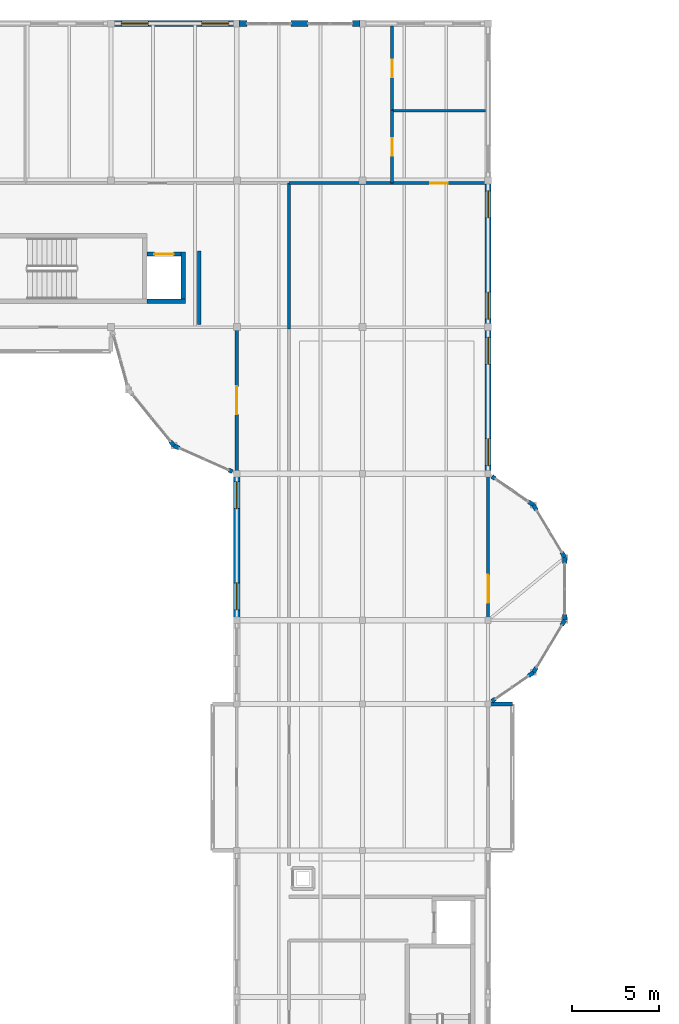
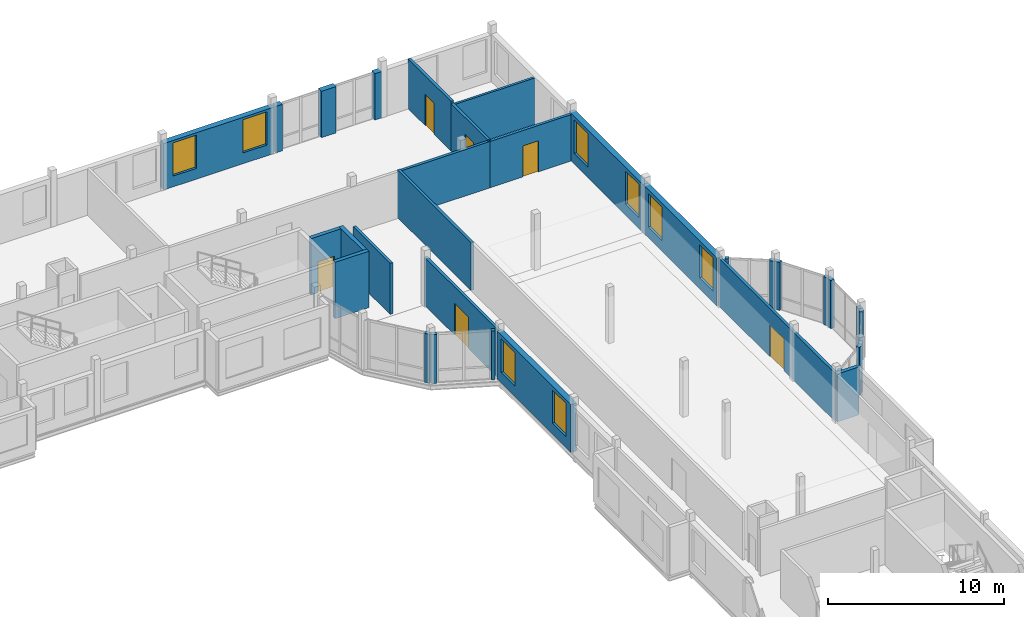
# One storey, part 29 of 34: 33 walls, 8 windows, 6 doors, 14 openings.
"""IFC4 building model written with IfcOpenShell, lengths in metres."""

from ifc_helpers import new_model, si_unit, direction, frame, frame_2d, origin, place, context, subcontext, project, spatial, rectangle, extrude, material, layer, layer_set, type_object, element, fill, save


model = new_model("IFC4")

# Units and contexts
model_context = context("Model", 3, precision=1e-05, world=origin(), true_north=direction((0.0, 1.0)))
body_context = subcontext(model_context, "Body", "Model", "MODEL_VIEW")
ifc_project = project(units=[si_unit("LENGTHUNIT", "METRE"), si_unit("AREAUNIT", "SQUARE_METRE"), si_unit("VOLUMEUNIT", "CUBIC_METRE"), si_unit("PLANEANGLEUNIT", "RADIAN"), si_unit("MASSUNIT", "GRAM", prefix="KILO")], contexts=[model_context])

# Site, building, storey
site_placement = place(None, origin())
site = spatial("IfcSite", under=ifc_project, at=site_placement, CompositionType="ELEMENT")
building_placement = place(site_placement, origin())
building = spatial("IfcBuilding", under=site, at=building_placement, Name="Kahlenmark Community Centre", CompositionType="ELEMENT")
storey_placement = place(building_placement, frame((0.0, 0.0, 17.699951171875)))
storey = spatial("IfcBuildingStorey", under=building, at=storey_placement, Name="L04", CompositionType="ELEMENT", Elevation=17.699951171875)

# Walls
ifc_material_1 = material(Name="Concrete C35/45", Category="concrete")
ifc_layer_1 = layer(ifc_material_1, 0.25)
ifc_layer_set_1 = layer_set([ifc_layer_1], Name="Concrete C35/45")
wall_type_1 = type_object("IfcWallType", Name="WT-CORE-250", PredefinedType="SHEAR", material=ifc_layer_set_1)
wall_1_placement = place(storey_placement, frame((67.25, 99.074951171875, 0.0), z_axis=(0.0, 0.0, 1.0), x_axis=(1.0, 0.0, 0.0)))
element("IfcWall", 1, at=wall_1_placement, inside=storey, type_object=wall_type_1, Name="Core K5 shear wall WL-CORE-K5-L04-0187", PredefinedType="SHEAR", context=body_context, shape_type="SweptSolid", body=[
    extrude(rectangle(XDim=2.2099609375, YDim=0.25, at=frame_2d((1.10498046875, 0.0))), origin(), (0.0, 0.0, 1.0), 3.900146484375),
])
wall_2_placement = place(storey_placement, frame((69.3349609375, 98.949951171875, 0.0), z_axis=(0.0, 0.0, 1.0), x_axis=(0.0, 1.0, 0.0)))
element("IfcWall", 2, at=wall_2_placement, inside=storey, type_object=wall_type_1, Name="Core K5 shear wall WL-CORE-K5-L04-0188", PredefinedType="SHEAR", context=body_context, shape_type="SweptSolid", body=[
    extrude(rectangle(XDim=2.9599609375, YDim=0.25, at=frame_2d((1.47998046875, 0.0))), origin(), (0.0, 0.0, 1.0), 3.900146484375),
])

# Wall, opening, door
wall_3_placement = place(storey_placement, frame((67.25, 101.784912109375, 0.0), z_axis=(0.0, 0.0, 1.0), x_axis=(1.0, 0.0, 0.0)))
wall_3 = element("IfcWall", 3, at=wall_3_placement, inside=storey, type_object=wall_type_1, Name="Core K5 shear wall WL-CORE-K5-L04-0189", PredefinedType="SHEAR", context=body_context, shape_type="SweptSolid", body=[
    extrude(rectangle(XDim=1.9599609375, YDim=0.25, at=frame_2d((0.97998046875, 0.0))), origin(), (0.0, 0.0, 1.0), 3.900146484375),
])
opening_1_placement = place(wall_3_placement, frame((0.429931640625, 0.0, -0.010009765625)))
opening_1 = element("IfcOpeningElement", 4, at=opening_1_placement, cuts=wall_3, Name="Opening LD-5", PredefinedType="OPENING", context=body_context, shape_type="SweptSolid", body=[
    extrude(rectangle(XDim=1.10009765625, YDim=2.159912109375, at=frame_2d((0.550048828125, 1.080078125))), frame((0.0, 0.135009765625, 0.0), z_axis=(0.0, -1.0, 0.0), x_axis=(1.0, 0.0, 0.0)), (0.0, 0.0, 1.0), 0.27001953125),
])
ifc_material_2 = material(Name="Brushed stainless steel sliding lift landing door", Category="steel")
door_type_1 = type_object("IfcDoorType", Name="DT-LD-K5", OperationType="SLIDING_TO_LEFT", PredefinedType="DOOR", material=ifc_material_2)
door_1_placement = place(opening_1_placement, frame((0.0, 0.0, 0.010009765625)))
door_1 = element("IfcDoor", 5, at=door_1_placement, inside=storey, type_object=door_type_1, Name="Lift LF-05 sliding landing door L04", OperationType="SLIDING_TO_LEFT", OverallHeight=2.14990234375, OverallWidth=1.10009765625, PredefinedType="DOOR", context=body_context, shape_type="SweptSolid", body=[
    extrude(rectangle(XDim=1.10009765625, YDim=2.14990234375, at=frame_2d((0.550048828125, 1.074951171875))), frame((0.0, 0.02490234375, 0.0), z_axis=(0.0, -1.0, 0.0), x_axis=(1.0, 0.0, 0.0)), (0.0, 0.0, 1.0), 0.050048828125),
])
fill(opening_1, door_1)

# Walls
ifc_material_3 = material(Name="Cross-laminated timber CLT C24", Category="wood")
ifc_layer_2 = layer(ifc_material_3, 0.239990234375)
ifc_layer_set_2 = layer_set([ifc_layer_2], Name="Cross-laminated timber CLT C24")
wall_type_2 = type_object("IfcWallType", Name="WT-EW-240", PredefinedType="SOLIDWALL", material=ifc_layer_set_2)
wall_4_placement = place(storey_placement, frame((87.0302734375, 76.159423828125, 0.0), z_axis=(0.0, 0.0, 1.0), x_axis=(0.822192191644, 0.56920997883, 0.0)))
element("IfcWall", 6, at=wall_4_placement, inside=storey, type_object=wall_type_2, Name="Rotunda pier closure 0746", PredefinedType="SOLIDWALL", context=body_context, shape_type="SweptSolid", body=[
    extrude(rectangle(XDim=0.219970703125, YDim=0.239990234375, at=frame_2d((0.10986328125, 0.0))), origin(), (0.0, 0.0, 1.0), 3.320068359375),
])
wall_5_placement = place(storey_placement, frame((89.12060546875, 77.6064453125, 0.0), z_axis=(0.0, 0.0, 1.0), x_axis=(0.821855834467, 0.569695521619, 0.0)))
element("IfcWall", 7, at=wall_5_placement, inside=storey, type_object=wall_type_2, Name="Rotunda pier closure 0747", PredefinedType="SOLIDWALL", context=body_context, shape_type="SweptSolid", body=[
    extrude(rectangle(XDim=0.33984375, YDim=0.239990234375, at=frame_2d((0.169921875, 0.0))), origin(), (0.0, 0.0, 1.0), 3.320068359375),
])
wall_6_placement = place(storey_placement, frame((89.39990234375, 77.800048828125, 0.0), z_axis=(0.0, 0.0, 1.0), x_axis=(0.514812489021, 0.857302805984, 0.0)))
element("IfcWall", 8, at=wall_6_placement, inside=storey, type_object=wall_type_2, Name="Rotunda pier closure 0748", PredefinedType="SOLIDWALL", context=body_context, shape_type="SweptSolid", body=[
    extrude(rectangle(XDim=0.340087890625, YDim=0.239990234375, at=frame_2d((0.169921875, 0.0))), origin(), (0.0, 0.0, 1.0), 3.320068359375),
])
for number, where, z_axis, x_axis, name in (
    (9, (91.025146484375, 80.508544921875, 0.0), (0.0, 0.0, 1.0), (0.514284482632, 0.857619653998, 0.0), "Rotunda pier closure 0749"),
    (10, (91.199951171875, 80.800048828125, 0.0), (0.0, 0.0, 1.0), (0.0, 1.0, 0.0), "Rotunda pier closure 0750"),
    (11, (91.199951171875, 84.06005859375, 0.0), (0.0, 0.0, 1.0), (0.0, 1.0, 0.0), "Rotunda pier closure 0751"),
    (12, (91.199951171875, 84.39990234375, 0.0), (0.0, 0.0, 1.0), (-0.514284482632, 0.857619653998, 0.0), "Rotunda pier closure 0752"),
):
    element("IfcWall", number, at=place(storey_placement, frame(where, z_axis=z_axis, x_axis=x_axis)), inside=storey, type_object=wall_type_2, Name=name, PredefinedType="SOLIDWALL", context=body_context, shape_type="SweptSolid", body=[
        extrude(rectangle(XDim=0.33984375, YDim=0.239990234375, at=frame_2d((0.169921875, 0.0))), origin(), (0.0, 0.0, 1.0), 3.320068359375),
    ])
wall_7_placement = place(storey_placement, frame((89.574951171875, 87.1083984375, 0.0), z_axis=(0.0, 0.0, 1.0), x_axis=(-0.514812489021, 0.857302805984, 0.0)))
element("IfcWall", 13, at=wall_7_placement, inside=storey, type_object=wall_type_2, Name="Rotunda pier closure 0753", PredefinedType="SOLIDWALL", context=body_context, shape_type="SweptSolid", body=[
    extrude(rectangle(XDim=0.340087890625, YDim=0.239990234375, at=frame_2d((0.169921875, 0.0))), origin(), (0.0, 0.0, 1.0), 3.320068359375),
])
wall_8_placement = place(storey_placement, frame((89.39990234375, 87.39990234375, 0.0), z_axis=(0.0, 0.0, 1.0), x_axis=(-0.821855834467, 0.569695521619, 0.0)))
element("IfcWall", 14, at=wall_8_placement, inside=storey, type_object=wall_type_2, Name="Rotunda pier closure 0754", PredefinedType="SOLIDWALL", context=body_context, shape_type="SweptSolid", body=[
    extrude(rectangle(XDim=0.33984375, YDim=0.239990234375, at=frame_2d((0.169921875, 0.0))), origin(), (0.0, 0.0, 1.0), 3.320068359375),
])
wall_9_placement = place(storey_placement, frame((87.211181640625, 88.915283203125, 0.0), z_axis=(0.0, 0.0, 1.0), x_axis=(-0.822192191644, 0.56920997883, 0.0)))
element("IfcWall", 15, at=wall_9_placement, inside=storey, type_object=wall_type_2, Name="Rotunda pier closure 0755", PredefinedType="SOLIDWALL", context=body_context, shape_type="SweptSolid", body=[
    extrude(rectangle(XDim=0.219970703125, YDim=0.239990234375, at=frame_2d((0.10986328125, 0.0))), origin(), (0.0, 0.0, 1.0), 3.320068359375),
])
wall_10_placement = place(storey_placement, frame((68.585693359375, 91.06396484375, 0.0), z_axis=(0.0, 0.0, 1.0), x_axis=(0.630457451131, -0.776223809422, 0.0)))
element("IfcWall", 16, at=wall_10_placement, inside=storey, type_object=wall_type_2, Name="Rotunda pier closure 0795", PredefinedType="SOLIDWALL", context=body_context, shape_type="SweptSolid", body=[
    extrude(rectangle(XDim=0.340087890625, YDim=0.239990234375, at=frame_2d((0.169921875, 0.0))), origin(), (0.0, 0.0, 1.0), 3.39013671875),
])
wall_11_placement = place(storey_placement, frame((68.800048828125, 90.800048828125, 0.0), z_axis=(0.0, 0.0, 1.0), x_axis=(0.913633745955, -0.406538286329, 0.0)))
element("IfcWall", 17, at=wall_11_placement, inside=storey, type_object=wall_type_2, Name="Rotunda pier closure 0796", PredefinedType="SOLIDWALL", context=body_context, shape_type="SweptSolid", body=[
    extrude(rectangle(XDim=0.33984375, YDim=0.239990234375, at=frame_2d((0.169921875, 0.0))), origin(), (0.0, 0.0, 1.0), 3.39013671875),
])
wall_12_placement = place(storey_placement, frame((71.943115234375, 89.403076171875, 0.0), z_axis=(0.0, 0.0, 1.0), x_axis=(0.913719959968, -0.406344477944, 0.0)))
element("IfcWall", 18, at=wall_12_placement, inside=storey, type_object=wall_type_2, Name="Rotunda pier closure 0797", PredefinedType="SOLIDWALL", context=body_context, shape_type="SweptSolid", body=[
    extrude(rectangle(XDim=0.219970703125, YDim=0.239990234375, at=frame_2d((0.10986328125, 0.0))), origin(), (0.0, 0.0, 1.0), 3.39013671875),
])
wall_13_placement = place(storey_placement, frame((88.199951171875, 76.0, 0.0), z_axis=(0.0, 0.0, 1.0), x_axis=(-1.0, 0.0, 0.0)))
element("IfcWall", 19, at=wall_13_placement, inside=storey, type_object=wall_type_2, Name="Bay oriel wall WL-ORI-L04-0819", PredefinedType="SOLIDWALL", context=body_context, shape_type="SweptSolid", body=[
    extrude(rectangle(XDim=1.39990234375, YDim=0.239990234375, at=frame_2d((0.699951171875, 0.0))), origin(), (0.0, 0.0, 1.0), 3.320068359375),
])

# Wall, openings, windows
ifc_material_4 = material(Name="Danube limestone masonry", Category="masonry")
ifc_layer_3 = layer(ifc_material_4, 0.360107421875)
ifc_layer_set_3 = layer_set([ifc_layer_3], Name="Danube limestone masonry")
wall_type_3 = type_object("IfcWallType", Name="WT-EW-360", PredefinedType="SOLIDWALL", material=ifc_layer_set_3)
wall_14_placement = place(storey_placement, frame((72.39990234375, 115.0, 0.0), z_axis=(0.0, 0.0, 1.0), x_axis=(-1.0, 0.0, 0.0)))
wall_14 = element("IfcWall", 20, at=wall_14_placement, inside=storey, type_object=wall_type_3, Name="Exterior wall WL-EXT-L04-0645", PredefinedType="SOLIDWALL", context=body_context, shape_type="SweptSolid", body=[
    extrude(rectangle(XDim=7.199951171875, YDim=0.360107421875, at=frame_2d((3.60009765625, 0.0))), origin(), (0.0, 0.0, 1.0), 3.2099609375),
])
opening_2_placement = place(wall_14_placement, frame((0.4599609375, 0.0, 0.75)))
opening_2 = element("IfcOpeningElement", 21, at=opening_2_placement, cuts=wall_14, Name="Opening W-155X230", PredefinedType="OPENING", context=body_context, shape_type="SweptSolid", body=[
    extrude(rectangle(XDim=1.550048828125, YDim=2.300048828125, at=frame_2d((0.77490234375, 1.14990234375))), frame((0.0, 0.18994140625, 0.0), z_axis=(0.0, -1.0, 0.0), x_axis=(1.0, 0.0, 0.0)), (0.0, 0.0, 1.0), 0.380126953125),
])
opening_3_placement = place(wall_14_placement, frame((5.06005859375, 0.0, 0.75)))
opening_3 = element("IfcOpeningElement", 22, at=opening_3_placement, cuts=wall_14, Name="Opening W-155X230", PredefinedType="OPENING", context=body_context, shape_type="SweptSolid", body=[
    extrude(rectangle(XDim=1.550048828125, YDim=2.300048828125, at=frame_2d((0.77490234375, 1.14990234375))), frame((0.0, 0.18994140625, 0.0), z_axis=(0.0, -1.0, 0.0), x_axis=(1.0, 0.0, 0.0)), (0.0, 0.0, 1.0), 0.380126953125),
])
ifc_material_5 = material(Name="Deep-reveal limestone punched triple glazing", Category="masonry")
window_type = type_object("IfcWindowType", Name="WNT-155X230", PartitioningType="DOUBLE_PANEL_HORIZONTAL", PredefinedType="WINDOW", material=ifc_material_5)
window_1_placement = place(opening_2_placement, origin())
window_1 = element("IfcWindow", 23, at=window_1_placement, inside=storey, type_object=window_type, Name="Window W-155X230 #0421", OverallHeight=2.300048828125, OverallWidth=1.550048828125, PartitioningType="DOUBLE_PANEL_HORIZONTAL", PredefinedType="WINDOW", context=body_context, shape_type="SweptSolid", body=[
    extrude(rectangle(XDim=1.550048828125, YDim=2.300048828125, at=frame_2d((0.77490234375, 1.14990234375))), frame((0.0, 0.030029296875, 0.0), z_axis=(0.0, -1.0, 0.0), x_axis=(1.0, 0.0, 0.0)), (0.0, 0.0, 1.0), 0.06005859375),
])
fill(opening_2, window_1)
window_2_placement = place(opening_3_placement, origin())
window_2 = element("IfcWindow", 24, at=window_2_placement, inside=storey, type_object=window_type, Name="Window W-155X230 #0422", OverallHeight=2.300048828125, OverallWidth=1.550048828125, PartitioningType="DOUBLE_PANEL_HORIZONTAL", PredefinedType="WINDOW", context=body_context, shape_type="SweptSolid", body=[
    extrude(rectangle(XDim=1.550048828125, YDim=2.300048828125, at=frame_2d((0.77490234375, 1.14990234375))), frame((0.0, 0.030029296875, 0.0), z_axis=(0.0, -1.0, 0.0), x_axis=(1.0, 0.0, 0.0)), (0.0, 0.0, 1.0), 0.06005859375),
])
fill(opening_3, window_2)

# Walls
wall_15_placement = place(storey_placement, frame((76.47998046875, 115.0, 0.0), z_axis=(0.0, 0.0, 1.0), x_axis=(-1.0, 0.0, 0.0)))
element("IfcWall", 25, at=wall_15_placement, inside=storey, type_object=wall_type_3, Name="Postmodern limestone pier 0646", PredefinedType="SOLIDWALL", context=body_context, shape_type="SweptSolid", body=[
    extrude(rectangle(XDim=0.9599609375, YDim=0.360107421875, at=frame_2d((0.47998046875, 0.0))), origin(), (0.0, 0.0, 1.0), 3.2099609375),
])
for number, where, z_axis, x_axis, name in (
    (26, (79.469970703125, 115.0, 0.0), (0.0, 0.0, 1.0), (-1.0, 0.0, 0.0), "Column closure pier 0647"),
    (27, (72.97998046875, 115.0, 0.0), (0.0, 0.0, 1.0), (-1.0, 0.0, 0.0), "Column closure pier 0648"),
):
    element("IfcWall", number, at=place(storey_placement, frame(where, z_axis=z_axis, x_axis=x_axis)), inside=storey, type_object=wall_type_3, Name=name, PredefinedType="SOLIDWALL", context=body_context, shape_type="SweptSolid", body=[
        extrude(rectangle(XDim=0.449951171875, YDim=0.360107421875, at=frame_2d((0.22509765625, 0.0))), origin(), (0.0, 0.0, 1.0), 3.2099609375),
    ])

# Wall, openings, windows
wall_16_placement = place(storey_placement, frame((86.800048828125, 97.60009765625, 0.0), z_axis=(0.0, 0.0, 1.0), x_axis=(0.0, 1.0, 0.0)))
wall_16 = element("IfcWall", 28, at=wall_16_placement, inside=storey, type_object=wall_type_3, Name="Exterior wall WL-EXT-L04-0654", PredefinedType="SOLIDWALL", context=body_context, shape_type="SweptSolid", body=[
    extrude(rectangle(XDim=8.39990234375, YDim=0.360107421875, at=frame_2d((4.199951171875, 0.0))), origin(), (0.0, 0.0, 1.0), 3.300048828125),
])
opening_4_placement = place(wall_16_placement, frame((0.4599609375, 0.0, 0.75)))
opening_4 = element("IfcOpeningElement", 29, at=opening_4_placement, cuts=wall_16, Name="Opening W-155X230", PredefinedType="OPENING", context=body_context, shape_type="SweptSolid", body=[
    extrude(rectangle(XDim=1.550048828125, YDim=2.300048828125, at=frame_2d((0.77490234375, 1.14990234375))), frame((0.0, 0.18994140625, 0.0), z_axis=(0.0, -1.0, 0.0), x_axis=(1.0, 0.0, 0.0)), (0.0, 0.0, 1.0), 0.380126953125),
])
opening_5_placement = place(wall_16_placement, frame((6.260009765625, 0.0, 0.75)))
opening_5 = element("IfcOpeningElement", 30, at=opening_5_placement, cuts=wall_16, Name="Opening W-155X230", PredefinedType="OPENING", context=body_context, shape_type="SweptSolid", body=[
    extrude(rectangle(XDim=1.550048828125, YDim=2.300048828125, at=frame_2d((0.77490234375, 1.14990234375))), frame((0.0, 0.18994140625, 0.0), z_axis=(0.0, -1.0, 0.0), x_axis=(1.0, 0.0, 0.0)), (0.0, 0.0, 1.0), 0.380126953125),
])
window_3_placement = place(opening_4_placement, origin())
window_3 = element("IfcWindow", 31, at=window_3_placement, inside=storey, type_object=window_type, Name="Window W-155X230 #0427", OverallHeight=2.300048828125, OverallWidth=1.550048828125, PartitioningType="DOUBLE_PANEL_HORIZONTAL", PredefinedType="WINDOW", context=body_context, shape_type="SweptSolid", body=[
    extrude(rectangle(XDim=1.550048828125, YDim=2.300048828125, at=frame_2d((0.77490234375, 1.14990234375))), frame((0.0, 0.030029296875, 0.0), z_axis=(0.0, -1.0, 0.0), x_axis=(1.0, 0.0, 0.0)), (0.0, 0.0, 1.0), 0.06005859375),
])
fill(opening_4, window_3)
window_4_placement = place(opening_5_placement, origin())
window_4 = element("IfcWindow", 32, at=window_4_placement, inside=storey, type_object=window_type, Name="Window W-155X230 #0428", OverallHeight=2.300048828125, OverallWidth=1.550048828125, PartitioningType="DOUBLE_PANEL_HORIZONTAL", PredefinedType="WINDOW", context=body_context, shape_type="SweptSolid", body=[
    extrude(rectangle(XDim=1.550048828125, YDim=2.300048828125, at=frame_2d((0.77490234375, 1.14990234375))), frame((0.0, 0.030029296875, 0.0), z_axis=(0.0, -1.0, 0.0), x_axis=(1.0, 0.0, 0.0)), (0.0, 0.0, 1.0), 0.06005859375),
])
fill(opening_5, window_4)

wall_17_placement = place(storey_placement, frame((72.39990234375, 89.199951171875, 0.0), z_axis=(0.0, 0.0, 1.0), x_axis=(0.0, -1.0, 0.0)))
wall_17 = element("IfcWall", 33, at=wall_17_placement, inside=storey, type_object=wall_type_3, Name="Exterior wall WL-EXT-L04-0663", PredefinedType="SOLIDWALL", context=body_context, shape_type="SweptSolid", body=[
    extrude(rectangle(XDim=8.39990234375, YDim=0.360107421875, at=frame_2d((4.199951171875, 0.0))), origin(), (0.0, 0.0, 1.0), 3.320068359375),
])
opening_6_placement = place(wall_17_placement, frame((0.4599609375, 0.0, 0.75)))
opening_6 = element("IfcOpeningElement", 34, at=opening_6_placement, cuts=wall_17, Name="Opening W-155X230", PredefinedType="OPENING", context=body_context, shape_type="SweptSolid", body=[
    extrude(rectangle(XDim=1.550048828125, YDim=2.300048828125, at=frame_2d((0.77490234375, 1.14990234375))), frame((0.0, 0.18994140625, 0.0), z_axis=(0.0, -1.0, 0.0), x_axis=(1.0, 0.0, 0.0)), (0.0, 0.0, 1.0), 0.380126953125),
])
opening_7_placement = place(wall_17_placement, frame((6.260009765625, 0.0, 0.75)))
opening_7 = element("IfcOpeningElement", 35, at=opening_7_placement, cuts=wall_17, Name="Opening W-155X230", PredefinedType="OPENING", context=body_context, shape_type="SweptSolid", body=[
    extrude(rectangle(XDim=1.550048828125, YDim=2.300048828125, at=frame_2d((0.77490234375, 1.14990234375))), frame((0.0, 0.18994140625, 0.0), z_axis=(0.0, -1.0, 0.0), x_axis=(1.0, 0.0, 0.0)), (0.0, 0.0, 1.0), 0.380126953125),
])
window_5_placement = place(opening_6_placement, origin())
window_5 = element("IfcWindow", 36, at=window_5_placement, inside=storey, type_object=window_type, Name="Window W-155X230 #0439", OverallHeight=2.300048828125, OverallWidth=1.550048828125, PartitioningType="DOUBLE_PANEL_HORIZONTAL", PredefinedType="WINDOW", context=body_context, shape_type="SweptSolid", body=[
    extrude(rectangle(XDim=1.550048828125, YDim=2.300048828125, at=frame_2d((0.77490234375, 1.14990234375))), frame((0.0, 0.030029296875, 0.0), z_axis=(0.0, -1.0, 0.0), x_axis=(1.0, 0.0, 0.0)), (0.0, 0.0, 1.0), 0.06005859375),
])
fill(opening_6, window_5)
window_6_placement = place(opening_7_placement, origin())
window_6 = element("IfcWindow", 37, at=window_6_placement, inside=storey, type_object=window_type, Name="Window W-155X230 #0440", OverallHeight=2.300048828125, OverallWidth=1.550048828125, PartitioningType="DOUBLE_PANEL_HORIZONTAL", PredefinedType="WINDOW", context=body_context, shape_type="SweptSolid", body=[
    extrude(rectangle(XDim=1.550048828125, YDim=2.300048828125, at=frame_2d((0.77490234375, 1.14990234375))), frame((0.0, 0.030029296875, 0.0), z_axis=(0.0, -1.0, 0.0), x_axis=(1.0, 0.0, 0.0)), (0.0, 0.0, 1.0), 0.06005859375),
])
fill(opening_7, window_6)

wall_18_placement = place(storey_placement, frame((86.800048828125, 89.199951171875, 0.0), z_axis=(0.0, 0.0, 1.0), x_axis=(0.0, 1.0, 0.0)))
wall_18 = element("IfcWall", 38, at=wall_18_placement, inside=storey, type_object=wall_type_3, Name="Exterior wall WL-EXT-L04-0666", PredefinedType="SOLIDWALL", context=body_context, shape_type="SweptSolid", body=[
    extrude(rectangle(XDim=8.400146484375, YDim=0.360107421875, at=frame_2d((4.2001953125, 0.0))), origin(), (0.0, 0.0, 1.0), 3.320068359375),
])
opening_8_placement = place(wall_18_placement, frame((0.4599609375, 0.0, 0.75)))
opening_8 = element("IfcOpeningElement", 39, at=opening_8_placement, cuts=wall_18, Name="Opening W-155X230", PredefinedType="OPENING", context=body_context, shape_type="SweptSolid", body=[
    extrude(rectangle(XDim=1.550048828125, YDim=2.300048828125, at=frame_2d((0.77490234375, 1.14990234375))), frame((0.0, 0.18994140625, 0.0), z_axis=(0.0, -1.0, 0.0), x_axis=(1.0, 0.0, 0.0)), (0.0, 0.0, 1.0), 0.380126953125),
])
opening_9_placement = place(wall_18_placement, frame((6.260009765625, 0.0, 0.75)))
opening_9 = element("IfcOpeningElement", 40, at=opening_9_placement, cuts=wall_18, Name="Opening W-155X230", PredefinedType="OPENING", context=body_context, shape_type="SweptSolid", body=[
    extrude(rectangle(XDim=1.550048828125, YDim=2.300048828125, at=frame_2d((0.77490234375, 1.14990234375))), frame((0.0, 0.18994140625, 0.0), z_axis=(0.0, -1.0, 0.0), x_axis=(1.0, 0.0, 0.0)), (0.0, 0.0, 1.0), 0.380126953125),
])
window_7_placement = place(opening_8_placement, origin())
window_7 = element("IfcWindow", 41, at=window_7_placement, inside=storey, type_object=window_type, Name="Window W-155X230 #0445", OverallHeight=2.300048828125, OverallWidth=1.550048828125, PartitioningType="DOUBLE_PANEL_HORIZONTAL", PredefinedType="WINDOW", context=body_context, shape_type="SweptSolid", body=[
    extrude(rectangle(XDim=1.550048828125, YDim=2.300048828125, at=frame_2d((0.77490234375, 1.14990234375))), frame((0.0, 0.030029296875, 0.0), z_axis=(0.0, -1.0, 0.0), x_axis=(1.0, 0.0, 0.0)), (0.0, 0.0, 1.0), 0.06005859375),
])
fill(opening_8, window_7)
window_8_placement = place(opening_9_placement, origin())
window_8 = element("IfcWindow", 42, at=window_8_placement, inside=storey, type_object=window_type, Name="Window W-155X230 #0446", OverallHeight=2.300048828125, OverallWidth=1.550048828125, PartitioningType="DOUBLE_PANEL_HORIZONTAL", PredefinedType="WINDOW", context=body_context, shape_type="SweptSolid", body=[
    extrude(rectangle(XDim=1.550048828125, YDim=2.300048828125, at=frame_2d((0.77490234375, 1.14990234375))), frame((0.0, 0.030029296875, 0.0), z_axis=(0.0, -1.0, 0.0), x_axis=(1.0, 0.0, 0.0)), (0.0, 0.0, 1.0), 0.06005859375),
])
fill(opening_9, window_8)

# Walls
ifc_material_6 = material(Name="Gypsum plasterboard partition", Category="gypsum")
ifc_layer_4 = layer(ifc_material_6, 0.14990234375)
ifc_layer_set_4 = layer_set([ifc_layer_4], Name="Gypsum plasterboard partition")
wall_type_4 = type_object("IfcWallType", Name="WT-PW-150", PredefinedType="PARTITIONING", material=ifc_layer_set_4)
wall_19_placement = place(storey_placement, frame((81.300048828125, 110.0, 0.0), z_axis=(0.0, 0.0, 1.0), x_axis=(1.0, 0.0, 0.0)))
element("IfcWall", 43, at=wall_19_placement, inside=storey, type_object=wall_type_4, Name="Interior partition WL-INT-L04-0267", PredefinedType="PARTITIONING", context=body_context, shape_type="SweptSolid", body=[
    extrude(rectangle(XDim=5.35986328125, YDim=0.14990234375, at=frame_2d((2.679931640625, 0.0))), origin(), (0.0, 0.0, 1.0), 3.2099609375),
])
ifc_layer_5 = layer(ifc_material_6, 0.179931640625)
ifc_layer_set_5 = layer_set([ifc_layer_5], Name="Gypsum plasterboard partition")
wall_type_5 = type_object("IfcWallType", Name="WT-PW-180", PredefinedType="PARTITIONING", material=ifc_layer_set_5)
wall_20_placement = place(storey_placement, frame((70.25, 97.760009765625, 0.0), z_axis=(0.0, 0.0, 1.0), x_axis=(0.0, 1.0, 0.0)))
element("IfcWall", 44, at=wall_20_placement, inside=storey, type_object=wall_type_5, Name="Interior partition WL-INT-L04-0258", PredefinedType="PARTITIONING", context=body_context, shape_type="SweptSolid", body=[
    extrude(rectangle(XDim=4.18994140625, YDim=0.179931640625, at=frame_2d((2.094970703125, 0.0))), origin(), (0.0, 0.0, 1.0), 3.5400390625),
])
wall_21_placement = place(storey_placement, frame((75.39990234375, 105.85009765625, 0.0), z_axis=(0.0, 0.0, 1.0), x_axis=(1.0, 0.0, 0.0)))
element("IfcWall", 45, at=wall_21_placement, inside=storey, type_object=wall_type_5, Name="Interior partition WL-INT-L04-0262", PredefinedType="PARTITIONING", context=body_context, shape_type="SweptSolid", body=[
    extrude(rectangle(XDim=5.900146484375, YDim=0.179931640625, at=frame_2d((2.9501953125, 0.0))), origin(), (0.0, 0.0, 1.0), 3.2099609375),
])

# Wall, opening, door
wall_22_placement = place(storey_placement, frame((81.300048828125, 105.85009765625, 0.0), z_axis=(0.0, 0.0, 1.0), x_axis=(1.0, 0.0, 0.0)))
wall_22 = element("IfcWall", 46, at=wall_22_placement, inside=storey, type_object=wall_type_5, Name="Interior partition WL-INT-L04-0263", PredefinedType="PARTITIONING", context=body_context, shape_type="SweptSolid", body=[
    extrude(rectangle(XDim=5.35986328125, YDim=0.179931640625, at=frame_2d((2.679931640625, 0.0))), origin(), (0.0, 0.0, 1.0), 3.2099609375),
])
opening_10_placement = place(wall_22_placement, frame((2.179931640625, 0.0, -0.010009765625)))
opening_10 = element("IfcOpeningElement", 47, at=opening_10_placement, cuts=wall_22, Name="Opening D-L04-151", PredefinedType="OPENING", context=body_context, shape_type="SweptSolid", body=[
    extrude(rectangle(XDim=1.0, YDim=2.159912109375, at=frame_2d((0.5, 1.080078125))), frame((0.0, 0.099853515625, 0.0), z_axis=(0.0, -1.0, 0.0), x_axis=(1.0, 0.0, 0.0)), (0.0, 0.0, 1.0), 0.199951171875),
])
ifc_material_7 = material(Name="Oak timber veneer door leaf", Category="wood")
door_type_2 = type_object("IfcDoorType", Name="DT-INT-100X215", OperationType="NOTDEFINED", PredefinedType="DOOR", material=ifc_material_7)
door_2_placement = place(opening_10_placement, frame((0.0, 0.0, 0.010009765625)))
door_2 = element("IfcDoor", 48, at=door_2_placement, inside=storey, type_object=door_type_2, Name="Interior door D-L04-151", OperationType="SINGLE_SWING_RIGHT", OverallHeight=2.14990234375, OverallWidth=1.0, PredefinedType="DOOR", context=body_context, shape_type="SweptSolid", body=[
    extrude(rectangle(XDim=1.0, YDim=2.14990234375, at=frame_2d((0.5, 1.074951171875))), frame((0.0, 0.02490234375, 0.0), z_axis=(0.0, -1.0, 0.0), x_axis=(1.0, 0.0, 0.0)), (0.0, 0.0, 1.0), 0.050048828125),
])
fill(opening_10, door_2)

wall_23_placement = place(storey_placement, frame((81.300048828125, 105.85009765625, 0.0), z_axis=(0.0, 0.0, 1.0), x_axis=(0.0, 1.0, 0.0)))
wall_23 = element("IfcWall", 49, at=wall_23_placement, inside=storey, type_object=wall_type_5, Name="Interior partition WL-INT-L04-0265", PredefinedType="PARTITIONING", context=body_context, shape_type="SweptSolid", body=[
    extrude(rectangle(XDim=4.14990234375, YDim=0.179931640625, at=frame_2d((2.074951171875, 0.0))), origin(), (0.0, 0.0, 1.0), 3.300048828125),
])
opening_11_placement = place(wall_23_placement, frame((1.574951171875, 0.0, -0.010009765625)))
opening_11 = element("IfcOpeningElement", 50, at=opening_11_placement, cuts=wall_23, Name="Opening D-L04-152", PredefinedType="OPENING", context=body_context, shape_type="SweptSolid", body=[
    extrude(rectangle(XDim=1.0, YDim=2.159912109375, at=frame_2d((0.5, 1.080078125))), frame((0.0, 0.099853515625, 0.0), z_axis=(0.0, -1.0, 0.0), x_axis=(1.0, 0.0, 0.0)), (0.0, 0.0, 1.0), 0.199951171875),
])
door_3_placement = place(opening_11_placement, frame((0.0, 0.0, 0.010009765625)))
door_3 = element("IfcDoor", 51, at=door_3_placement, inside=storey, type_object=door_type_2, Name="Interior door D-L04-152", OperationType="SINGLE_SWING_LEFT", OverallHeight=2.14990234375, OverallWidth=1.0, PredefinedType="DOOR", context=body_context, shape_type="SweptSolid", body=[
    extrude(rectangle(XDim=1.0, YDim=2.14990234375, at=frame_2d((0.5, 1.074951171875))), frame((0.0, 0.02490234375, 0.0), z_axis=(0.0, -1.0, 0.0), x_axis=(1.0, 0.0, 0.0)), (0.0, 0.0, 1.0), 0.050048828125),
])
fill(opening_11, door_3)

wall_24_placement = place(storey_placement, frame((81.300048828125, 110.0, 0.0), z_axis=(0.0, 0.0, 1.0), x_axis=(0.0, 1.0, 0.0)))
wall_24 = element("IfcWall", 52, at=wall_24_placement, inside=storey, type_object=wall_type_5, Name="Interior partition WL-INT-L04-0266", PredefinedType="PARTITIONING", context=body_context, shape_type="SweptSolid", body=[
    extrude(rectangle(XDim=4.860107421875, YDim=0.179931640625, at=frame_2d((2.43017578125, 0.0))), origin(), (0.0, 0.0, 1.0), 3.449951171875),
])
opening_12_placement = place(wall_24_placement, frame((1.929931640625, 0.0, -0.010009765625)))
opening_12 = element("IfcOpeningElement", 53, at=opening_12_placement, cuts=wall_24, Name="Opening D-L04-153", PredefinedType="OPENING", context=body_context, shape_type="SweptSolid", body=[
    extrude(rectangle(XDim=1.0, YDim=2.159912109375, at=frame_2d((0.5, 1.080078125))), frame((0.0, 0.099853515625, 0.0), z_axis=(0.0, -1.0, 0.0), x_axis=(1.0, 0.0, 0.0)), (0.0, 0.0, 1.0), 0.199951171875),
])
door_4_placement = place(opening_12_placement, frame((1.0, 0.0, 0.010009765625), z_axis=(0.0, 0.0, 1.0), x_axis=(-1.0, 0.0, 0.0)))
door_4 = element("IfcDoor", 54, at=door_4_placement, inside=storey, type_object=door_type_2, Name="Interior door D-L04-153", OperationType="SINGLE_SWING_RIGHT", OverallHeight=2.14990234375, OverallWidth=1.0, PredefinedType="DOOR", context=body_context, shape_type="SweptSolid", body=[
    extrude(rectangle(XDim=1.0, YDim=2.14990234375, at=frame_2d((0.5, 1.074951171875))), frame((0.0, 0.02490234375, 0.0), z_axis=(0.0, -1.0, 0.0), x_axis=(1.0, 0.0, 0.0)), (0.0, 0.0, 1.0), 0.050048828125),
])
fill(opening_12, door_4)

# Wall
wall_25_placement = place(storey_placement, frame((75.39990234375, 97.5, 0.0), z_axis=(0.0, 0.0, 1.0), x_axis=(0.0, 1.0, 0.0)))
element("IfcWall", 55, at=wall_25_placement, inside=storey, type_object=wall_type_5, Name="Interior partition WL-INT-L04-0273", PredefinedType="PARTITIONING", context=body_context, shape_type="SweptSolid", body=[
    extrude(rectangle(XDim=8.35009765625, YDim=0.179931640625, at=frame_2d((4.175048828125, 0.0))), origin(), (0.0, 0.0, 1.0), 3.300048828125),
])

# Wall, opening, door
wall_26_placement = place(storey_placement, frame((86.800048828125, 76.0, 0.0), z_axis=(0.0, 0.0, 1.0), x_axis=(0.0, 1.0, 0.0)))
wall_26 = element("IfcWall", 56, at=wall_26_placement, inside=storey, type_object=wall_type_5, Name="Interior partition WL-INT-L04-0274", PredefinedType="PARTITIONING", context=body_context, shape_type="SweptSolid", body=[
    extrude(rectangle(XDim=13.199951171875, YDim=0.179931640625, at=frame_2d((6.60009765625, 0.0))), origin(), (0.0, 0.0, 1.0), 3.320068359375),
])
opening_13_placement = place(wall_26_placement, frame((5.800048828125, 0.0, -0.010009765625)))
opening_13 = element("IfcOpeningElement", 57, at=opening_13_placement, cuts=wall_26, Name="Opening D-L04-156", PredefinedType="OPENING", context=body_context, shape_type="SweptSolid", body=[
    extrude(rectangle(XDim=1.60009765625, YDim=2.2099609375, at=frame_2d((0.800048828125, 1.10498046875))), frame((0.0, 0.099853515625, 0.0), z_axis=(0.0, -1.0, 0.0), x_axis=(1.0, 0.0, 0.0)), (0.0, 0.0, 1.0), 0.199951171875),
])
ifc_material_8 = material(Name="Oak double-leaf acoustic door")
door_type_3 = type_object("IfcDoorType", Name="DT-DBL-160X220", OperationType="NOTDEFINED", PredefinedType="DOOR", material=ifc_material_8)
door_5_placement = place(opening_13_placement, frame((1.60009765625, 0.0, 0.010009765625), z_axis=(0.0, 0.0, 1.0), x_axis=(-1.0, 0.0, 0.0)))
door_5 = element("IfcDoor", 58, at=door_5_placement, inside=storey, type_object=door_type_3, Name="Interior door D-L04-156", OperationType="DOUBLE_SWING_LEFT", OverallHeight=2.199951171875, OverallWidth=1.60009765625, PredefinedType="DOOR", context=body_context, shape_type="SweptSolid", body=[
    extrude(rectangle(XDim=1.60009765625, YDim=2.199951171875, at=frame_2d((0.800048828125, 1.10009765625))), frame((0.0, 0.02490234375, 0.0), z_axis=(0.0, -1.0, 0.0), x_axis=(1.0, 0.0, 0.0)), (0.0, 0.0, 1.0), 0.050048828125),
])
fill(opening_13, door_5)

wall_27_placement = place(storey_placement, frame((72.39990234375, 89.199951171875, 0.0), z_axis=(0.0, 0.0, 1.0), x_axis=(0.0, 1.0, 0.0)))
wall_27 = element("IfcWall", 59, at=wall_27_placement, inside=storey, type_object=wall_type_5, Name="Interior partition WL-INT-L04-0275", PredefinedType="PARTITIONING", context=body_context, shape_type="SweptSolid", body=[
    extrude(rectangle(XDim=8.400146484375, YDim=0.179931640625, at=frame_2d((4.2001953125, 0.0))), origin(), (0.0, 0.0, 1.0), 3.320068359375),
])
opening_14_placement = place(wall_27_placement, frame((3.39990234375, 0.0, -0.010009765625)))
opening_14 = element("IfcOpeningElement", 60, at=opening_14_placement, cuts=wall_27, Name="Opening D-L04-157", PredefinedType="OPENING", context=body_context, shape_type="SweptSolid", body=[
    extrude(rectangle(XDim=1.60009765625, YDim=2.2099609375, at=frame_2d((0.800048828125, 1.10498046875))), frame((0.0, 0.099853515625, 0.0), z_axis=(0.0, -1.0, 0.0), x_axis=(1.0, 0.0, 0.0)), (0.0, 0.0, 1.0), 0.199951171875),
])
door_6_placement = place(opening_14_placement, frame((0.0, 0.0, 0.010009765625)))
door_6 = element("IfcDoor", 61, at=door_6_placement, inside=storey, type_object=door_type_3, Name="Interior door D-L04-157", OperationType="DOUBLE_SWING_LEFT", OverallHeight=2.199951171875, OverallWidth=1.60009765625, PredefinedType="DOOR", context=body_context, shape_type="SweptSolid", body=[
    extrude(rectangle(XDim=1.60009765625, YDim=2.199951171875, at=frame_2d((0.800048828125, 1.10009765625))), frame((0.0, 0.02490234375, 0.0), z_axis=(0.0, -1.0, 0.0), x_axis=(1.0, 0.0, 0.0)), (0.0, 0.0, 1.0), 0.050048828125),
])
fill(opening_14, door_6)

save(model, "model.ifc")
